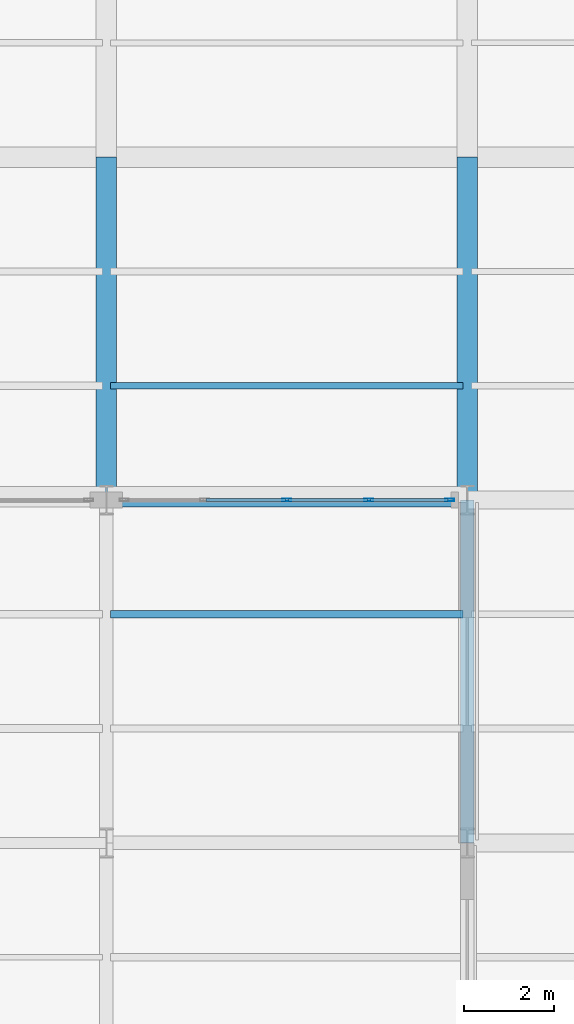
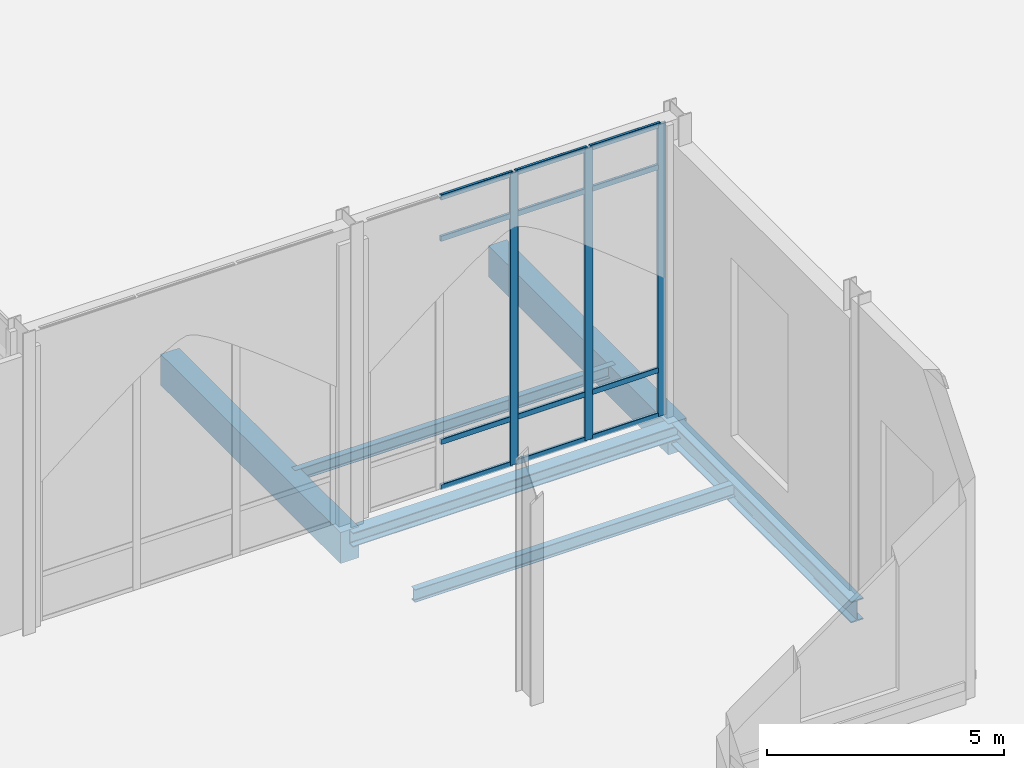
# One storey, part 37 of 176: 15 members, 6 beams, 1 element without a shape of its own.
"""IFC4 building model written with IfcOpenShell, lengths in metres."""

from ifc_helpers import new_model, si_unit, direction, frame, origin, origin_2d, place, context, subcontext, project, spatial, rectangle, hollow_rectangle, i_section, extrude, material, layer, layer_set, material_profile, profile_set, type_object, element, aggregate, save


model = new_model("IFC4")

# Units and contexts
model_context = context("Model", 3, precision=1e-05, world=origin(), true_north=direction((0.0, 1.0)))
body_context = subcontext(model_context, "Body", "Model", "MODEL_VIEW")
ifc_project = project(units=[si_unit("LENGTHUNIT", "METRE"), si_unit("AREAUNIT", "SQUARE_METRE"), si_unit("VOLUMEUNIT", "CUBIC_METRE"), si_unit("PLANEANGLEUNIT", "RADIAN"), si_unit("MASSUNIT", "GRAM", prefix="KILO")], contexts=[model_context])

# Site, building, storey
site_placement = place(None, origin())
site = spatial("IfcSite", under=ifc_project, at=site_placement, CompositionType="ELEMENT")
building_placement = place(site_placement, origin())
building = spatial("IfcBuilding", under=site, at=building_placement, Name="Vekula Escarpment Museum", CompositionType="ELEMENT")
storey_placement = place(building_placement, origin())
storey = spatial("IfcBuildingStorey", under=building, at=storey_placement, Name="L01", CompositionType="ELEMENT", Elevation=0.0)

# Beams
ifc_material_1 = material(Name="Steel S355", Category="steel")
ifc_material_profile_1 = material_profile(ifc_material_1, i_section(OverallWidth=0.300048828125, OverallDepth=0.360107421875, WebThickness=0.012451171875, FlangeThickness=0.0224609375, FilletRadius=0.027099609375, at=origin_2d()), Name="HEB 360")
ifc_profile_set_1 = profile_set([ifc_material_profile_1], Name="Steel S355")
beam_type_1 = type_object("IfcBeamType", Name="BM-GIRD-HEB360", PredefinedType="BEAM", material=ifc_profile_set_1)
beam_1_placement = place(storey_placement, frame((110.0, 15.199951171875, -0.47998046875), z_axis=(1.0, 0.0, 0.0), x_axis=(0.0, 1.0, 0.0)))
element("IfcBeam", 1, at=beam_1_placement, inside=storey, type_object=beam_type_1, Name="Beam X L01 0060", PredefinedType="BEAM", context=body_context, shape_type="SweptSolid", body=[
    extrude(i_section(OverallWidth=0.300048828125, OverallDepth=0.360107421875, WebThickness=0.012451171875, FlangeThickness=0.0224609375, FilletRadius=0.027099609375, at=origin_2d()), origin(), (0.0, 0.0, 1.0), 8.0),
])
ifc_material_2 = material(Name="Steel S355", Category="steel")
ifc_material_profile_2 = material_profile(ifc_material_2, i_section(OverallWidth=0.300048828125, OverallDepth=0.550048828125, WebThickness=0.014892578125, FlangeThickness=0.029052734375, FilletRadius=0.027099609375, at=origin_2d()), Name="HEB 550")
ifc_profile_set_2 = profile_set([ifc_material_profile_2], Name="Steel S355")
beam_type_2 = type_object("IfcBeamType", Name="BM-GIRD-HEB550", PredefinedType="BEAM", material=ifc_profile_set_2)
beam_2_placement = place(storey_placement, frame((118.0, 7.60009765625, -0.574951171875), z_axis=(0.0, 1.0, 0.0), x_axis=(-1.0, 0.0, 0.0)))
element("IfcBeam", 2, at=beam_2_placement, inside=storey, type_object=beam_type_2, Name="Beam Y L01 0631", PredefinedType="BEAM", context=body_context, shape_type="SweptSolid", body=[
    extrude(i_section(OverallWidth=0.300048828125, OverallDepth=0.550048828125, WebThickness=0.014892578125, FlangeThickness=0.029052734375, FilletRadius=0.027099609375, at=origin_2d()), origin(), (0.0, 0.0, 1.0), 7.599853515625),
])
ifc_material_3 = material(Name="Steel S355", Category="steel")
ifc_material_profile_3 = material_profile(ifc_material_3, i_section(OverallWidth=0.14990234375, OverallDepth=0.300048828125, WebThickness=0.007080078125, FlangeThickness=0.0107421875, FilletRadius=0.014892578125, at=origin_2d()), Name="IPE 300")
ifc_profile_set_3 = profile_set([ifc_material_profile_3], Name="Steel S355")
beam_type_3 = type_object("IfcBeamType", Name="BM-JST-IPE300", PredefinedType="JOIST", material=ifc_profile_set_3)
beam_3_placement = place(storey_placement, frame((110.090087890625, 17.7333984375, -0.449951171875), z_axis=(1.0, 0.0, 0.0), x_axis=(0.0, 1.0, 0.0)))
element("IfcBeam", 3, at=beam_3_placement, inside=storey, type_object=beam_type_3, Name="Secondary Joist L01 0355", PredefinedType="JOIST", context=body_context, shape_type="SweptSolid", body=[
    extrude(i_section(OverallWidth=0.14990234375, OverallDepth=0.300048828125, WebThickness=0.007080078125, FlangeThickness=0.0107421875, FilletRadius=0.014892578125, at=origin_2d()), origin(), (0.0, 0.0, 1.0), 7.81982421875),
])
ifc_material_4 = material(Name="Steel S355", Category="steel")
ifc_material_profile_4 = material_profile(ifc_material_4, i_section(OverallWidth=0.159912109375, OverallDepth=0.330078125, WebThickness=0.007568359375, FlangeThickness=0.011474609375, FilletRadius=0.01806640625, at=origin_2d()), Name="IPE 330")
ifc_profile_set_4 = profile_set([ifc_material_profile_4], Name="Steel S355")
beam_type_4 = type_object("IfcBeamType", Name="BM-JST-IPE330", PredefinedType="JOIST", material=ifc_profile_set_4)
beam_4_placement = place(storey_placement, frame((110.090087890625, 12.666748046875, -0.465087890625), z_axis=(1.0, 0.0, 0.0), x_axis=(0.0, 1.0, 0.0)))
element("IfcBeam", 4, at=beam_4_placement, inside=storey, type_object=beam_type_4, Name="Secondary Joist L01 0354", PredefinedType="JOIST", context=body_context, shape_type="SweptSolid", body=[
    extrude(i_section(OverallWidth=0.159912109375, OverallDepth=0.330078125, WebThickness=0.007568359375, FlangeThickness=0.011474609375, FilletRadius=0.01806640625, at=origin_2d()), origin(), (0.0, 0.0, 1.0), 7.81982421875),
])
ifc_material_5 = material(Name="Concrete C35/45", Category="concrete")
ifc_material_profile_5 = material_profile(ifc_material_5, rectangle(XDim=0.449951171875, YDim=0.800048828125, at=origin_2d()), Name="RC 450x800")
ifc_profile_set_5 = profile_set([ifc_material_profile_5], Name="Concrete C35/45")
beam_type_5 = type_object("IfcBeamType", Name="BM-PLINTH-RC", PredefinedType="BEAM", material=ifc_profile_set_5)
for number, where, z_axis, x_axis, name in (
    (5, (110.0, 15.199951171875, -0.699951171875), (0.0, 1.0, 0.0), (-1.0, 0.0, 0.0), "Beam Y L01 0614"),
    (6, (118.0, 15.199951171875, -0.699951171875), (0.0, 1.0, 0.0), (-1.0, 0.0, 0.0), "Beam Y L01 0632"),
):
    element("IfcBeam", number, at=place(storey_placement, frame(where, z_axis=z_axis, x_axis=x_axis)), inside=storey, type_object=beam_type_5, Name=name, PredefinedType="BEAM", context=body_context, shape_type="SweptSolid", body=[
        extrude(rectangle(XDim=0.449951171875, YDim=0.800048828125, at=origin_2d()), origin(), (0.0, 0.0, 1.0), 7.60009765625),
    ])

# Curtain wall, members
ifc_material_6 = material(Name="Aluminium thermally broken framing", Category="aluminium")
ifc_layer = layer(ifc_material_6, 0.159912109375)
ifc_layer_set = layer_set([ifc_layer], Name="Aluminium thermally broken framing")
curtain_wall_type = type_object("IfcCurtainWallType", Name="CW-SYS-01", PredefinedType="NOTDEFINED", material=ifc_layer_set)
curtain_wall_placement = place(storey_placement, origin())
curtain_wall = element("IfcCurtainWall", 7, at=curtain_wall_placement, inside=storey, type_object=curtain_wall_type, Name="Curtain Wall CW-L01-001", PredefinedType="NOTDEFINED")
ifc_material_7 = material(Name="Aluminium anodized mullion", Category="aluminium")
ifc_material_profile_6 = material_profile(ifc_material_7, hollow_rectangle(XDim=0.06494140625, YDim=0.199951171875, WallThickness=0.00390625, InnerFilletRadius=0.00390625, OuterFilletRadius=0.008056640625, at=origin_2d()), Name="ALU 200x65x4")
ifc_profile_set_6 = profile_set([ifc_material_profile_6], Name="Aluminium anodized mullion")
member_type_1 = type_object("IfcMemberType", Name="CW-MUL-200", PredefinedType="MULLION", material=ifc_profile_set_6)
member_1_placement = place(storey_placement, frame((117.607421875, 15.199951171875, 0.0), z_axis=(0.0, 0.0, 1.0), x_axis=(0.0, -1.0, 0.0)))
member_1 = element("IfcMember", 8, at=member_1_placement, type_object=member_type_1, Name="CW-01 mullion 1", PredefinedType="MULLION", context=body_context, shape_type="SweptSolid", body=[
    extrude(hollow_rectangle(XDim=0.06494140625, YDim=0.199951171875, WallThickness=0.00390625, InnerFilletRadius=0.00390625, OuterFilletRadius=0.008056640625, at=origin_2d()), origin(), (0.0, 0.0, 1.0), 7.5400390625),
])
member_2_placement = place(storey_placement, frame((115.820068359375, 15.199951171875, 0.0), z_axis=(0.0, 0.0, 1.0), x_axis=(0.0, -1.0, 0.0)))
member_2 = element("IfcMember", 9, at=member_2_placement, type_object=member_type_1, Name="CW-01 mullion 2", PredefinedType="MULLION", context=body_context, shape_type="SweptSolid", body=[
    extrude(hollow_rectangle(XDim=0.06494140625, YDim=0.199951171875, WallThickness=0.00390625, InnerFilletRadius=0.00390625, OuterFilletRadius=0.008056640625, at=origin_2d()), origin(), (0.0, 0.0, 1.0), 7.5400390625),
])
member_3_placement = place(storey_placement, frame((114.0, 15.199951171875, 0.0), z_axis=(0.0, 0.0, 1.0), x_axis=(0.0, -1.0, 0.0)))
member_3 = element("IfcMember", 10, at=member_3_placement, type_object=member_type_1, Name="CW-01 mullion 3", PredefinedType="MULLION", context=body_context, shape_type="SweptSolid", body=[
    extrude(hollow_rectangle(XDim=0.06494140625, YDim=0.199951171875, WallThickness=0.00390625, InnerFilletRadius=0.00390625, OuterFilletRadius=0.008056640625, at=origin_2d()), origin(), (0.0, 0.0, 1.0), 7.5400390625),
])
ifc_material_8 = material(Name="Aluminium anodized transom", Category="aluminium")
ifc_material_profile_7 = material_profile(ifc_material_8, hollow_rectangle(XDim=0.06494140625, YDim=0.139892578125, WallThickness=0.00390625, InnerFilletRadius=0.00390625, OuterFilletRadius=0.008056640625, at=origin_2d()), Name="ALU 140x65x4")
ifc_profile_set_7 = profile_set([ifc_material_profile_7], Name="Aluminium anodized transom")
member_type_2 = type_object("IfcMemberType", Name="CW-TRN-140", PredefinedType="USERDEFINED", material=ifc_profile_set_7)
member_4_placement = place(storey_placement, frame((117.574951171875, 15.199951171875, 0.032470703125), z_axis=(-1.0, 0.0, 0.0), x_axis=(0.0, -1.0, 0.0)))
member_4 = element("IfcMember", 11, at=member_4_placement, type_object=member_type_2, Name="CW-01 transom 1.1", ObjectType="TRANSOM", PredefinedType="USERDEFINED", context=body_context, shape_type="SweptSolid", body=[
    extrude(hollow_rectangle(XDim=0.06494140625, YDim=0.139892578125, WallThickness=0.00390625, InnerFilletRadius=0.00390625, OuterFilletRadius=0.008056640625, at=origin_2d()), origin(), (0.0, 0.0, 1.0), 1.722412109375),
])
member_5_placement = place(storey_placement, frame((117.574951171875, 15.199951171875, 1.199951171875), z_axis=(-1.0, 0.0, 0.0), x_axis=(0.0, -1.0, 0.0)))
member_5 = element("IfcMember", 12, at=member_5_placement, type_object=member_type_2, Name="CW-01 transom 1.2", ObjectType="TRANSOM", PredefinedType="USERDEFINED", context=body_context, shape_type="SweptSolid", body=[
    extrude(hollow_rectangle(XDim=0.06494140625, YDim=0.139892578125, WallThickness=0.00390625, InnerFilletRadius=0.00390625, OuterFilletRadius=0.008056640625, at=origin_2d()), origin(), (0.0, 0.0, 1.0), 1.722412109375),
])
member_6_placement = place(storey_placement, frame((117.574951171875, 15.199951171875, 6.43994140625), z_axis=(-1.0, 0.0, 0.0), x_axis=(0.0, -1.0, 0.0)))
member_6 = element("IfcMember", 13, at=member_6_placement, type_object=member_type_2, Name="CW-01 transom 1.3", ObjectType="TRANSOM", PredefinedType="USERDEFINED", context=body_context, shape_type="SweptSolid", body=[
    extrude(hollow_rectangle(XDim=0.06494140625, YDim=0.139892578125, WallThickness=0.00390625, InnerFilletRadius=0.00390625, OuterFilletRadius=0.008056640625, at=origin_2d()), origin(), (0.0, 0.0, 1.0), 1.722412109375),
])
member_7_placement = place(storey_placement, frame((117.574951171875, 15.199951171875, 7.507568359375), z_axis=(-1.0, 0.0, 0.0), x_axis=(0.0, -1.0, 0.0)))
member_7 = element("IfcMember", 14, at=member_7_placement, type_object=member_type_2, Name="CW-01 transom 1.4", ObjectType="TRANSOM", PredefinedType="USERDEFINED", context=body_context, shape_type="SweptSolid", body=[
    extrude(hollow_rectangle(XDim=0.06494140625, YDim=0.139892578125, WallThickness=0.00390625, InnerFilletRadius=0.00390625, OuterFilletRadius=0.008056640625, at=origin_2d()), origin(), (0.0, 0.0, 1.0), 1.722412109375),
])
member_8_placement = place(storey_placement, frame((115.78759765625, 15.199951171875, 0.032470703125), z_axis=(-1.0, 0.0, 0.0), x_axis=(0.0, -1.0, 0.0)))
member_8 = element("IfcMember", 15, at=member_8_placement, type_object=member_type_2, Name="CW-01 transom 2.1", ObjectType="TRANSOM", PredefinedType="USERDEFINED", context=body_context, shape_type="SweptSolid", body=[
    extrude(hollow_rectangle(XDim=0.06494140625, YDim=0.139892578125, WallThickness=0.00390625, InnerFilletRadius=0.00390625, OuterFilletRadius=0.008056640625, at=origin_2d()), origin(), (0.0, 0.0, 1.0), 1.755126953125),
])
member_9_placement = place(storey_placement, frame((115.78759765625, 15.199951171875, 1.199951171875), z_axis=(-1.0, 0.0, 0.0), x_axis=(0.0, -1.0, 0.0)))
member_9 = element("IfcMember", 16, at=member_9_placement, type_object=member_type_2, Name="CW-01 transom 2.2", ObjectType="TRANSOM", PredefinedType="USERDEFINED", context=body_context, shape_type="SweptSolid", body=[
    extrude(hollow_rectangle(XDim=0.06494140625, YDim=0.139892578125, WallThickness=0.00390625, InnerFilletRadius=0.00390625, OuterFilletRadius=0.008056640625, at=origin_2d()), origin(), (0.0, 0.0, 1.0), 1.755126953125),
])
member_10_placement = place(storey_placement, frame((115.78759765625, 15.199951171875, 6.43994140625), z_axis=(-1.0, 0.0, 0.0), x_axis=(0.0, -1.0, 0.0)))
member_10 = element("IfcMember", 17, at=member_10_placement, type_object=member_type_2, Name="CW-01 transom 2.3", ObjectType="TRANSOM", PredefinedType="USERDEFINED", context=body_context, shape_type="SweptSolid", body=[
    extrude(hollow_rectangle(XDim=0.06494140625, YDim=0.139892578125, WallThickness=0.00390625, InnerFilletRadius=0.00390625, OuterFilletRadius=0.008056640625, at=origin_2d()), origin(), (0.0, 0.0, 1.0), 1.755126953125),
])
member_11_placement = place(storey_placement, frame((115.78759765625, 15.199951171875, 7.507568359375), z_axis=(-1.0, 0.0, 0.0), x_axis=(0.0, -1.0, 0.0)))
member_11 = element("IfcMember", 18, at=member_11_placement, type_object=member_type_2, Name="CW-01 transom 2.4", ObjectType="TRANSOM", PredefinedType="USERDEFINED", context=body_context, shape_type="SweptSolid", body=[
    extrude(hollow_rectangle(XDim=0.06494140625, YDim=0.139892578125, WallThickness=0.00390625, InnerFilletRadius=0.00390625, OuterFilletRadius=0.008056640625, at=origin_2d()), origin(), (0.0, 0.0, 1.0), 1.755126953125),
])
member_12_placement = place(storey_placement, frame((113.967529296875, 15.199951171875, 0.032470703125), z_axis=(-1.0, 0.0, 0.0), x_axis=(0.0, -1.0, 0.0)))
member_12 = element("IfcMember", 19, at=member_12_placement, type_object=member_type_2, Name="CW-01 transom 3.1", ObjectType="TRANSOM", PredefinedType="USERDEFINED", context=body_context, shape_type="SweptSolid", body=[
    extrude(hollow_rectangle(XDim=0.06494140625, YDim=0.139892578125, WallThickness=0.00390625, InnerFilletRadius=0.00390625, OuterFilletRadius=0.008056640625, at=origin_2d()), origin(), (0.0, 0.0, 1.0), 1.755126953125),
])
member_13_placement = place(storey_placement, frame((113.967529296875, 15.199951171875, 1.199951171875), z_axis=(-1.0, 0.0, 0.0), x_axis=(0.0, -1.0, 0.0)))
member_13 = element("IfcMember", 20, at=member_13_placement, type_object=member_type_2, Name="CW-01 transom 3.2", ObjectType="TRANSOM", PredefinedType="USERDEFINED", context=body_context, shape_type="SweptSolid", body=[
    extrude(hollow_rectangle(XDim=0.06494140625, YDim=0.139892578125, WallThickness=0.00390625, InnerFilletRadius=0.00390625, OuterFilletRadius=0.008056640625, at=origin_2d()), origin(), (0.0, 0.0, 1.0), 1.755126953125),
])
member_14_placement = place(storey_placement, frame((113.967529296875, 15.199951171875, 6.43994140625), z_axis=(-1.0, 0.0, 0.0), x_axis=(0.0, -1.0, 0.0)))
member_14 = element("IfcMember", 21, at=member_14_placement, type_object=member_type_2, Name="CW-01 transom 3.3", ObjectType="TRANSOM", PredefinedType="USERDEFINED", context=body_context, shape_type="SweptSolid", body=[
    extrude(hollow_rectangle(XDim=0.06494140625, YDim=0.139892578125, WallThickness=0.00390625, InnerFilletRadius=0.00390625, OuterFilletRadius=0.008056640625, at=origin_2d()), origin(), (0.0, 0.0, 1.0), 1.755126953125),
])
member_15_placement = place(storey_placement, frame((113.967529296875, 15.199951171875, 7.507568359375), z_axis=(-1.0, 0.0, 0.0), x_axis=(0.0, -1.0, 0.0)))
member_15 = element("IfcMember", 22, at=member_15_placement, type_object=member_type_2, Name="CW-01 transom 3.4", ObjectType="TRANSOM", PredefinedType="USERDEFINED", context=body_context, shape_type="SweptSolid", body=[
    extrude(hollow_rectangle(XDim=0.06494140625, YDim=0.139892578125, WallThickness=0.00390625, InnerFilletRadius=0.00390625, OuterFilletRadius=0.008056640625, at=origin_2d()), origin(), (0.0, 0.0, 1.0), 1.755126953125),
])
aggregate(curtain_wall, [member_1, member_2, member_3, member_4, member_5, member_6, member_7, member_8, member_9, member_10, member_11, member_12, member_13, member_14, member_15])

save(model, "model.ifc")
